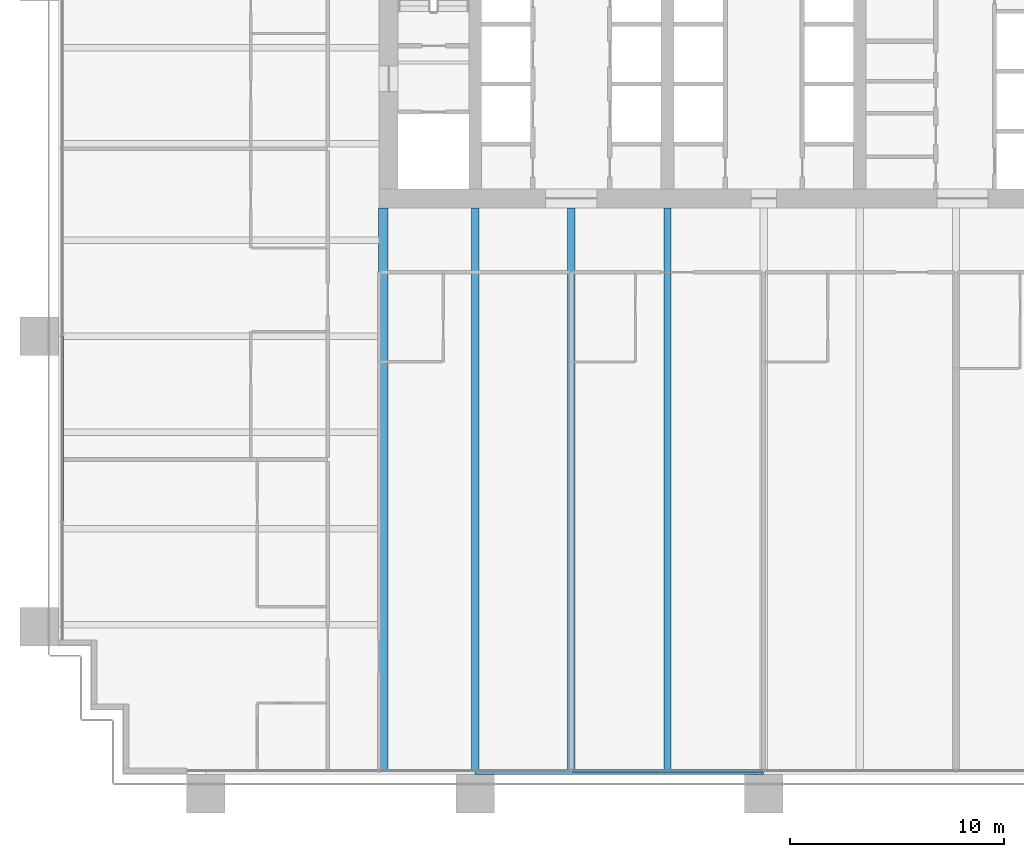
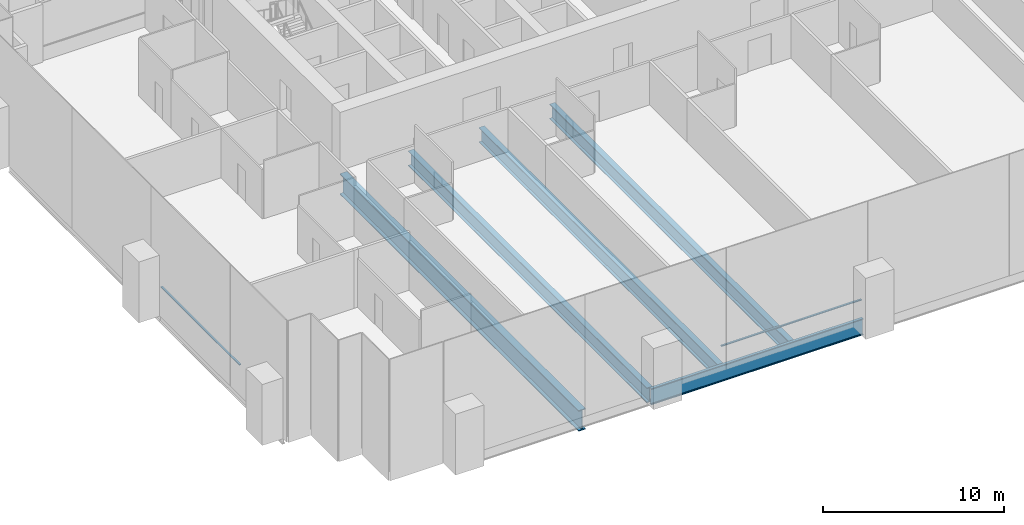
# One storey, part 3 of 18: 5 beams, 2 members, 2 elements without a shape of their own.
"""IFC4 building model written with IfcOpenShell, lengths in metres."""

from ifc_helpers import new_model, si_unit, direction, frame, origin, origin_2d, place, context, subcontext, project, spatial, rectangle, i_section, extrude, material, material_profile, profile_set, type_object, element, aggregate, save


model = new_model("IFC4")

# Units and contexts
model_context = context("Model", 3, precision=1e-05, world=origin(), true_north=direction((0.0, 1.0)))
body_context = subcontext(model_context, "Body", "Model", "MODEL_VIEW")
ifc_project = project(units=[si_unit("LENGTHUNIT", "METRE"), si_unit("AREAUNIT", "SQUARE_METRE"), si_unit("VOLUMEUNIT", "CUBIC_METRE"), si_unit("PLANEANGLEUNIT", "RADIAN"), si_unit("MASSUNIT", "GRAM", prefix="KILO")], contexts=[model_context])

# Site, building, storey
site_placement = place(None, origin())
site = spatial("IfcSite", under=ifc_project, at=site_placement, CompositionType="ELEMENT")
building_placement = place(site_placement, origin())
building = spatial("IfcBuilding", under=site, at=building_placement, Name="Rattan Terrace Tower", CompositionType="ELEMENT")
storey_placement = place(building_placement, frame((0.0, 0.0, 57.0)))
storey = spatial("IfcBuildingStorey", under=building, at=storey_placement, Name="L12", CompositionType="ELEMENT", Elevation=57.0)

# Curtain wall, member
ifc_material_1 = material(Name="Aluminium and glass", Category="aluminium")
curtain_wall_type = type_object("IfcCurtainWallType", Name="Facade Unitised Curtain Wall", PredefinedType="NOTDEFINED", material=ifc_material_1)
curtain_wall_1_placement = place(storey_placement, origin())
curtain_wall_1 = element("IfcCurtainWall", 1, at=curtain_wall_1_placement, inside=storey, type_object=curtain_wall_type, Name="Curtain wall L12-3", PredefinedType="NOTDEFINED")
ifc_material_2 = material(Name="Aluminium", Category="aluminium")
ifc_material_profile_1 = material_profile(ifc_material_2, rectangle(XDim=0.1201171875, YDim=0.06005859375, at=origin_2d()), Name="Aluminium 120x60")
ifc_profile_set_1 = profile_set([ifc_material_profile_1], Name="Aluminium")
member_type = type_object("IfcMemberType", Name="Facade CW Transom 120x60", PredefinedType="USERDEFINED", material=ifc_profile_set_1)
member_1_placement = place(storey_placement, frame((-32.830078125, -13.48388671875, 1.0), z_axis=(0.0, -1.0, 0.0), x_axis=(1.0, 0.0, 0.0)))
member_1 = element("IfcMember", 2, at=member_1_placement, type_object=member_type, Name="Transom cwl-L12-003.3", ObjectType="TRANSOM", PredefinedType="USERDEFINED", context=body_context, shape_type="SweptSolid", body=[
    extrude(rectangle(XDim=0.1201171875, YDim=0.06005859375, at=origin_2d()), origin(), (0.0, 0.0, 1.0), 8.6669921875),
])
aggregate(curtain_wall_1, [member_1])

curtain_wall_2_placement = place(storey_placement, origin())
curtain_wall_2 = element("IfcCurtainWall", 3, at=curtain_wall_2_placement, inside=storey, type_object=curtain_wall_type, Name="Curtain wall L12-4", PredefinedType="NOTDEFINED")
member_2_placement = place(storey_placement, frame((-8.969970703125, -33.830078125, 1.0), z_axis=(1.0, 0.0, 0.0), x_axis=(0.0, 1.0, 0.0)))
member_2 = element("IfcMember", 4, at=member_2_placement, type_object=member_type, Name="Transom cwl-L12-004.3", ObjectType="TRANSOM", PredefinedType="USERDEFINED", context=body_context, shape_type="SweptSolid", body=[
    extrude(rectangle(XDim=0.1201171875, YDim=0.06005859375, at=origin_2d()), origin(), (0.0, 0.0, 1.0), 8.93994140625),
])
aggregate(curtain_wall_2, [member_2])

# Beams
ifc_material_3 = material(Name="Steel S460", Category="steel")
ifc_material_profile_2 = material_profile(ifc_material_3, i_section(OverallWidth=0.449951171875, OverallDepth=1.39990234375, WebThickness=0.02197265625, FlangeThickness=0.054931640625, at=origin_2d()), Name="PG 1400x450-22-55")
ifc_profile_set_2 = profile_set([ifc_material_profile_2], Name="Steel S460")
beam_type_1 = type_object("IfcBeamType", Name="Frame core girder PG 1400x450-22-55", PredefinedType="BEAM", material=ifc_profile_set_2)
beam_1_placement = place(storey_placement, frame((-17.800048828125, -33.820068359375, -0.89990234375), z_axis=(0.0, 1.0, 0.0), x_axis=(-1.0, 0.0, 0.0)))
element("IfcBeam", 5, at=beam_1_placement, inside=storey, type_object=beam_type_1, Name="gdr-L12-013", PredefinedType="BEAM", context=body_context, shape_type="SweptSolid", body=[
    extrude(i_section(OverallWidth=0.449951171875, OverallDepth=1.39990234375, WebThickness=0.02197265625, FlangeThickness=0.054931640625, at=origin_2d()), origin(), (0.0, 0.0, 1.0), 26.320068359375),
])
ifc_material_4 = material(Name="Steel S460", Category="steel")
ifc_material_profile_3 = material_profile(ifc_material_4, i_section(OverallWidth=0.179931640625, OverallDepth=1.10009765625, WebThickness=0.01611328125, FlangeThickness=0.050048828125, at=origin_2d()), Name="PG 1100x180-16-50")
ifc_profile_set_3 = profile_set([ifc_material_profile_3], Name="Steel S460")
beam_type_2 = type_object("IfcBeamType", Name="Frame edge girder PG 1100x180-16-50", PredefinedType="SPANDREL", material=ifc_profile_set_3)
beam_2_placement = place(storey_placement, frame((-13.5, -33.909912109375, -0.75), z_axis=(1.0, 0.0, 0.0), x_axis=(0.0, 1.0, 0.0)))
element("IfcBeam", 6, at=beam_2_placement, inside=storey, type_object=beam_type_2, Name="gdr-L12-002", PredefinedType="SPANDREL", context=body_context, shape_type="SweptSolid", body=[
    extrude(i_section(OverallWidth=0.179931640625, OverallDepth=1.10009765625, WebThickness=0.01611328125, FlangeThickness=0.050048828125, at=origin_2d()), origin(), (0.0, 0.0, 1.0), 13.5),
])
ifc_material_5 = material(Name="Steel S460", Category="steel")
ifc_material_profile_4 = material_profile(ifc_material_5, i_section(OverallWidth=0.35009765625, OverallDepth=1.0, WebThickness=0.01611328125, FlangeThickness=0.044921875, at=origin_2d()), Name="PG 1000x350-16-45")
ifc_profile_set_4 = profile_set([ifc_material_profile_4], Name="Steel S460")
beam_type_3 = type_object("IfcBeamType", Name="Frame floor beam PG 1000x350-16-45", PredefinedType="JOIST", material=ifc_profile_set_4)
for number, where, z_axis, x_axis, name in (
    (7, (-13.5, -33.820068359375, -0.699951171875), (0.0, 1.0, 0.0), (-1.0, 0.0, 0.0), "bm-L12-003"),
    (8, (-9.0, -33.820068359375, -0.699951171875), (0.0, 1.0, 0.0), (-1.0, 0.0, 0.0), "bm-L12-004"),
    (9, (-4.5, -33.820068359375, -0.699951171875), (0.0, 1.0, 0.0), (-1.0, 0.0, 0.0), "bm-L12-005"),
):
    element("IfcBeam", number, at=place(storey_placement, frame(where, z_axis=z_axis, x_axis=x_axis)), inside=storey, type_object=beam_type_3, Name=name, PredefinedType="JOIST", context=body_context, shape_type="SweptSolid", body=[
        extrude(i_section(OverallWidth=0.35009765625, OverallDepth=1.0, WebThickness=0.01611328125, FlangeThickness=0.044921875, at=origin_2d()), origin(), (0.0, 0.0, 1.0), 26.320068359375),
    ])

save(model, "model.ifc")
